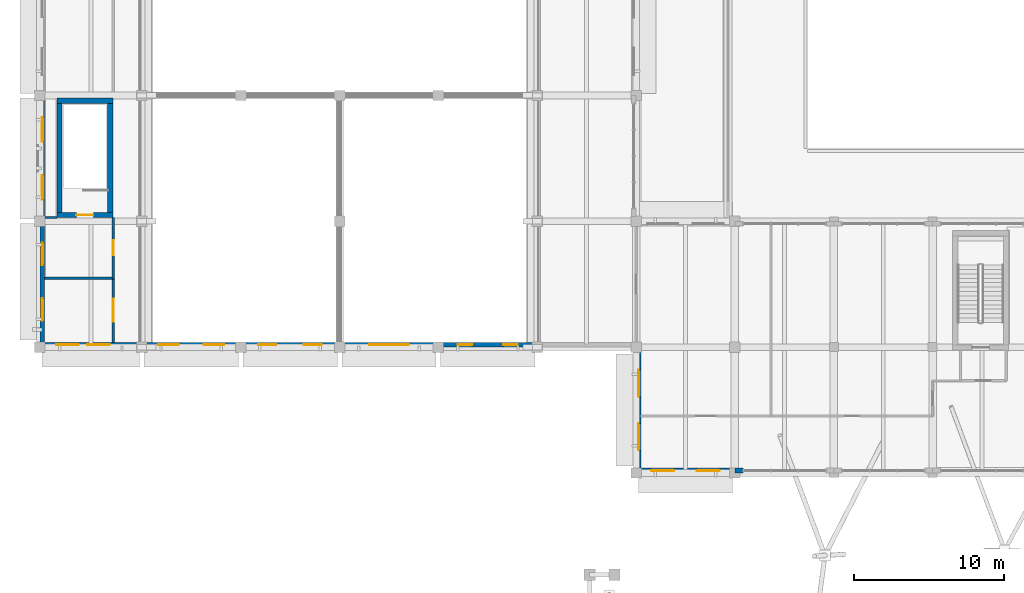
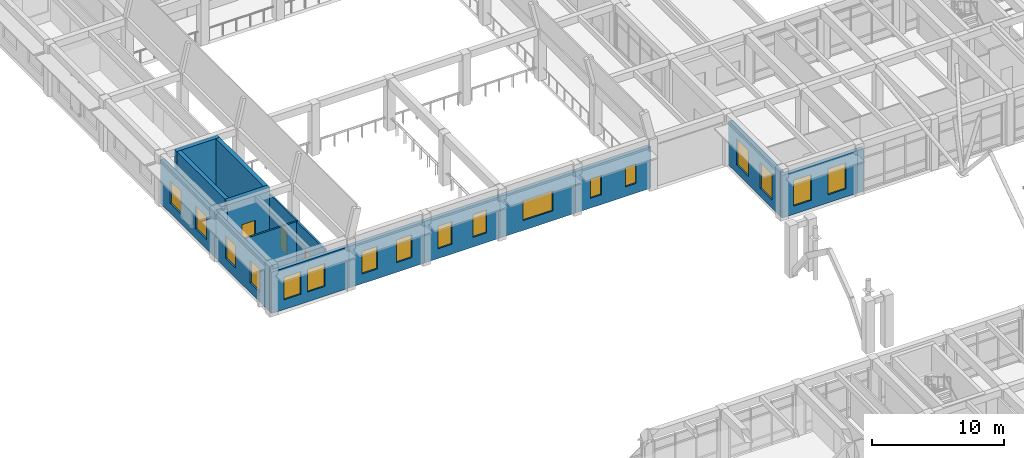
# One storey, part 46 of 75: 18 walls, 17 windows, 3 doors, 20 openings.
"""IFC4 building model written with IfcOpenShell, lengths in metres."""

import ifcopenshell
import ifcopenshell.guid

model = None  # the IFC model being written
_history = None  # IfcOwnerHistory: only IFC2X3 demands one
_inside = {}  # id of a spatial element -> (the spatial element, [elements in it])
_under = {}  # id of a project, library or spatial element -> (it, [spatial elements below it])
_declared = {}  # id of a project -> (the project, [libraries it declares])
_typed = {}  # id of a type object -> (the type object, [elements of that type])
_made_of = {}  # id of a material, layer set ... -> (it, [elements and type objects made of it])


def new_model(schema):
    """Start an empty IFC model of exactly this schema.

    Asked for "IFC4X3", IfcOpenShell would pick the latest addendum, in which some entities
    have other attributes; the version numbers below select the first issue.
    IFC2X3 requires an IfcOwnerHistory on every rooted entity: one is made here for all.
    """
    global model, _history
    if schema == "IFC4X3":
        model = ifcopenshell.file(schema_version=(4, 3, 0, 0))
    else:
        model = ifcopenshell.file(schema=schema)
    _inside.clear()
    _under.clear()
    _declared.clear()
    _typed.clear()
    _made_of.clear()
    _history = None
    if model.schema == "IFC2X3":
        org = make("IfcOrganization", Name="unknown")
        user = make(
            "IfcPersonAndOrganization",
            ThePerson=make("IfcPerson", FamilyName="unknown"),
            TheOrganization=org,
        )
        app = make(
            "IfcApplication",
            ApplicationDeveloper=org,
            Version="unknown",
            ApplicationFullName="unknown",
            ApplicationIdentifier="unknown",
        )
        _history = make(
            "IfcOwnerHistory",
            OwningUser=user,
            OwningApplication=app,
            ChangeAction="ADDED",
            CreationDate=0,
        )
    return model


def make(cls, **values):
    """One entity of the class cls with the attributes given. An attribute that is None is left unset."""
    return model.create_entity(
        cls, **{name: value for name, value in values.items() if value is not None}
    )


def rooted(cls, **values):
    """An entity with a GlobalId (a new one), such as an element, a storey or a relation."""
    return make(cls, GlobalId=ifcopenshell.guid.new(), OwnerHistory=_history, **values)


def si_unit(unit_type, name, prefix=None):
    """IfcSIUnit, for example si_unit("LENGTHUNIT", "METRE", prefix="MILLI")."""
    return make("IfcSIUnit", UnitType=unit_type, Prefix=prefix, Name=name)


def assignment(units):
    """IfcUnitAssignment: the units of a project."""
    return None if units is None else make("IfcUnitAssignment", Units=units)


def point(xyz):
    """IfcCartesianPoint."""
    return None if xyz is None else make("IfcCartesianPoint", Coordinates=xyz)


def direction(xyz):
    """IfcDirection."""
    return None if xyz is None else make("IfcDirection", DirectionRatios=xyz)


def frame(location, z_axis=None, x_axis=None):
    """IfcAxis2Placement3D, a coordinate frame: its origin and axes. An axis left out is left unset."""
    return make(
        "IfcAxis2Placement3D",
        Location=point(location),
        Axis=direction(z_axis),
        RefDirection=direction(x_axis),
    )


def frame_2d(location, x_axis=None):
    """IfcAxis2Placement2D, a coordinate frame in the plane: its origin and x axis."""
    return make(
        "IfcAxis2Placement2D", Location=point(location), RefDirection=direction(x_axis)
    )


def origin():
    """The frame at (0, 0, 0) with its axes left unset."""
    return frame((0.0, 0.0, 0.0))


def place(relative_to, where):
    """IfcLocalPlacement: puts the frame where relative to a parent placement (None: the world)."""
    return make(
        "IfcLocalPlacement", PlacementRelTo=relative_to, RelativePlacement=where
    )


def context(
    kind, dimensions, precision=None, world=None, true_north=None, identifier=None
):
    """IfcGeometricRepresentationContext, for example the 3D "Model" context."""
    return make(
        "IfcGeometricRepresentationContext",
        ContextIdentifier=identifier,
        ContextType=kind,
        CoordinateSpaceDimension=dimensions,
        Precision=precision,
        WorldCoordinateSystem=world,
        TrueNorth=true_north,
    )


def subcontext(parent, identifier, kind, view, scale=None):
    """IfcGeometricRepresentationSubContext, for example "Body" below "Model"."""
    return make(
        "IfcGeometricRepresentationSubContext",
        ContextIdentifier=identifier,
        ContextType=kind,
        ParentContext=parent,
        TargetScale=scale,
        TargetView=view,
    )


def project(units=None, contexts=None):
    """IfcProject with its units and contexts."""
    return rooted(
        "IfcProject",
        Name="project",
        RepresentationContexts=contexts,
        UnitsInContext=assignment(units),
    )


def spatial(cls, under=None, at=None, **own):
    """A site, building, storey or space (cls), placed at a placement, below another one or the project."""
    s = rooted(cls, ObjectPlacement=at, **own)
    if under is not None:
        _under.setdefault(under.id(), (under, []))[1].append(s)
    return s


def profile(cls, at=None, kind="AREA", **sizes):
    """A parametric profile (cls). Its sizes go by their IFC names, for example OverallWidth=200.0."""
    return make(cls, ProfileType=kind, Position=at, **sizes)


def rectangle(**sizes):
    """IfcRectangleProfileDef."""
    return profile("IfcRectangleProfileDef", **sizes)


def extrude(swept, where, along, depth):
    """IfcExtrudedAreaSolid: the profile swept, set in the frame where, extruded along a direction by depth."""
    return make(
        "IfcExtrudedAreaSolid",
        SweptArea=swept,
        Position=where,
        ExtrudedDirection=direction(along),
        Depth=depth,
    )


def shape(context_of_items, identifier, shape_type, items):
    """IfcShapeRepresentation: the items that make up one representation, for example the "Body"."""
    return make(
        "IfcShapeRepresentation",
        ContextOfItems=context_of_items,
        RepresentationIdentifier=identifier,
        RepresentationType=shape_type,
        Items=items,
    )


def material(Name=None, Category=None):
    """IfcMaterial."""
    return make("IfcMaterial", Name=Name, Category=Category)


def layer(
    of_material, thickness, ventilated=None, Name=None, Category=None, Priority=None
):
    """IfcMaterialLayer: one layer of a wall or slab, of a material (None: an air gap)."""
    return make(
        "IfcMaterialLayer",
        Material=of_material,
        LayerThickness=thickness,
        IsVentilated=ventilated,
        Name=Name,
        Category=Category,
        Priority=Priority,
    )


def layer_set(layers, Name=None):
    """IfcMaterialLayerSet."""
    return make("IfcMaterialLayerSet", MaterialLayers=layers, LayerSetName=Name)


def made_of(thing, what):
    """Note that an element or type object is made of a material, layer set ...; save() writes the relation."""
    if what is not None:
        _made_of.setdefault(what.id(), (what, []))[1].append(thing)
    return thing


def type_object(cls, material=None, **own):
    """A type object (cls), such as IfcWallType, which elements share."""
    return made_of(rooted(cls, **own), material)


def element(
    cls,
    number,
    at=None,
    inside=None,
    cuts=None,
    type_object=None,
    material=None,
    context=None,
    identifier="Body",
    shape_type=None,
    held_by="IfcProductDefinitionShape",
    body=None,
    shapes=None,
    **own,
):
    """One element of the class cls, such as IfcWall. Its Tag is "e" and its number.

    at: its placement. inside: the storey or other place that contains it. cuts: it is an
    opening in that element (IfcRelVoidsElement). A single representation is given by context,
    identifier, shape_type and body (its items); several are given by shapes. held_by: the class
    of the entity that holds the representations. save() writes the other relations.
    """
    e = rooted(cls, Tag="e%d" % number, ObjectPlacement=at, **own)
    if body is not None:
        shapes = [shape(context, identifier, shape_type, body)]
    if shapes is not None:
        e.Representation = make(held_by, Representations=shapes)
    if inside is not None:
        _inside.setdefault(inside.id(), (inside, []))[1].append(e)
    if cuts is not None:
        rooted(
            "IfcRelVoidsElement", RelatingBuildingElement=cuts, RelatedOpeningElement=e
        )
    if type_object is not None:
        _typed.setdefault(type_object.id(), (type_object, []))[1].append(e)
    return made_of(e, material)


def fill(opening, filler):
    """IfcRelFillsElement: the door or window that sits in an opening."""
    return rooted(
        "IfcRelFillsElement",
        RelatingOpeningElement=opening,
        RelatedBuildingElement=filler,
    )


def aggregate(whole, parts):
    """IfcRelAggregates: a whole, such as a stair, and the parts it consists of."""
    return rooted("IfcRelAggregates", RelatingObject=whole, RelatedObjects=parts)


def save(model, path):
    """Write the relations noted so far, then the file.

    IfcRelAggregates (storeys below a building ...), IfcRelContainedInSpatialStructure (elements
    in a storey), IfcRelDefinesByType, IfcRelAssociatesMaterial and IfcRelDeclares: one each for
    every whole, place, type object, material and project.
    """
    for whole, parts in _under.values():
        aggregate(whole, parts)
    for where, things in _inside.values():
        rooted(
            "IfcRelContainedInSpatialStructure",
            RelatedElements=things,
            RelatingStructure=where,
        )
    for kind, things in _typed.values():
        rooted("IfcRelDefinesByType", RelatedObjects=things, RelatingType=kind)
    for what, things in _made_of.values():
        rooted("IfcRelAssociatesMaterial", RelatedObjects=things, RelatingMaterial=what)
    for by, libraries in _declared.values():
        rooted("IfcRelDeclares", RelatingContext=by, RelatedDefinitions=libraries)
    model.write(path)


model = new_model("IFC4")

# Units and contexts
model_context = context("Model", 3, precision=1e-05, world=origin(), true_north=direction((0.0, 1.0)))
body_context = subcontext(model_context, "Body", "Model", "MODEL_VIEW")
ifc_project = project(units=[si_unit("LENGTHUNIT", "METRE"), si_unit("AREAUNIT", "SQUARE_METRE"), si_unit("VOLUMEUNIT", "CUBIC_METRE"), si_unit("PLANEANGLEUNIT", "RADIAN"), si_unit("MASSUNIT", "GRAM", prefix="KILO")], contexts=[model_context])

# Site, building, storey
site_placement = place(None, origin())
site = spatial("IfcSite", under=ifc_project, at=site_placement, CompositionType="ELEMENT")
building_placement = place(site_placement, origin())
building = spatial("IfcBuilding", under=site, at=building_placement, Name="Kolvaren Faculty of Natural Sciences", CompositionType="ELEMENT")
storey_placement = place(building_placement, frame((0.0, 0.0, 5.39990234375)))
storey = spatial("IfcBuildingStorey", under=building, at=storey_placement, Name="L01", CompositionType="ELEMENT", Elevation=5.39990234375)

# Wall, opening, door
ifc_material_1 = material(Name="Concrete C40/50", Category="concrete")
ifc_layer_1 = layer(ifc_material_1, 0.35009765625)
ifc_layer_set_1 = layer_set([ifc_layer_1], Name="Concrete C40/50")
wall_type_1 = type_object("IfcWallType", Name="CoreShearWall_350", PredefinedType="SHEAR", material=ifc_layer_set_1)
wall_1_placement = place(storey_placement, frame((1.125, 84.625, 0.0), z_axis=(0.0, 0.0, 1.0), x_axis=(1.0, 0.0, 0.0)))
wall_1 = element("IfcWall", 1, at=wall_1_placement, inside=storey, type_object=wall_type_1, Name="L01 CORE-C5 stair shear wall S", PredefinedType="SHEAR", context=body_context, shape_type="SweptSolid", body=[
    extrude(rectangle(XDim=3.75, YDim=0.35009765625, at=frame_2d((1.875, 0.0))), origin(), (0.0, 0.0, 1.0), 4.739990234375),
])
opening_1_placement = place(wall_1_placement, frame((1.300048828125, 0.0, 0.0)))
opening_1 = element("IfcOpeningElement", 2, at=opening_1_placement, cuts=wall_1, Name="Opening FD90", PredefinedType="OPENING", context=body_context, shape_type="SweptSolid", body=[
    extrude(rectangle(XDim=1.14990234375, YDim=2.14990234375, at=frame_2d((0.574951171875, 1.074951171875))), frame((0.0, 0.18505859375, 0.0), z_axis=(0.0, -1.0, 0.0), x_axis=(1.0, 0.0, 0.0)), (0.0, 0.0, 1.0), 0.3701171875),
])
ifc_material_2 = material(Name="Fire-rated solid-core hardwood door leaf in steel frame", Category="steel")
door_type_1 = type_object("IfcDoorType", Name="StairCoreFireDoor_1150x2150", OperationType="NOTDEFINED", PredefinedType="DOOR", material=ifc_material_2)
door_1_placement = place(opening_1_placement, origin())
door_1 = element("IfcDoor", 3, at=door_1_placement, inside=storey, type_object=door_type_1, Name="D-ST-ST-5-L01", OperationType="SINGLE_SWING_LEFT", OverallHeight=2.14990234375, OverallWidth=1.14990234375, PredefinedType="DOOR", context=body_context, shape_type="SweptSolid", body=[
    extrude(rectangle(XDim=1.14990234375, YDim=2.14990234375, at=frame_2d((0.574951171875, 1.074951171875))), frame((0.0, 0.02490234375, 0.0), z_axis=(0.0, -1.0, 0.0), x_axis=(1.0, 0.0, 0.0)), (0.0, 0.0, 1.0), 0.050048828125),
])
fill(opening_1, door_1)

# Walls
wall_2_placement = place(storey_placement, frame((1.125, 92.25, 0.0), z_axis=(0.0, 0.0, 1.0), x_axis=(1.0, 0.0, 0.0)))
element("IfcWall", 4, at=wall_2_placement, inside=storey, type_object=wall_type_1, Name="L01 CORE-C5 stair shear wall N", PredefinedType="SHEAR", context=body_context, shape_type="SweptSolid", body=[
    extrude(rectangle(XDim=3.75, YDim=0.35009765625, at=frame_2d((1.875, 0.0))), origin(), (0.0, 0.0, 1.0), 4.739990234375),
])
for number, where, z_axis, x_axis, name in (
    (5, (1.300048828125, 84.800048828125, 0.0), (0.0, 0.0, 1.0), (0.0, 1.0, 0.0), "L01 CORE-C5 stair shear wall W"),
    (6, (4.699951171875, 84.800048828125, 0.0), (0.0, 0.0, 1.0), (0.0, 1.0, 0.0), "L01 CORE-C5 stair shear wall E"),
):
    element("IfcWall", number, at=place(storey_placement, frame(where, z_axis=z_axis, x_axis=x_axis)), inside=storey, type_object=wall_type_1, Name=name, PredefinedType="SHEAR", context=body_context, shape_type="SweptSolid", body=[
        extrude(rectangle(XDim=7.27490234375, YDim=0.35009765625, at=frame_2d((3.637451171875, 0.0))), origin(), (0.0, 0.0, 1.0), 4.739990234375),
    ])

# Wall, openings, windows
ifc_material_3 = material(Name="Sandstone-faced insulated cavity masonry", Category="masonry")
ifc_layer_2 = layer(ifc_material_3, 0.320068359375)
ifc_layer_set_2 = layer_set([ifc_layer_2], Name="Sandstone-faced insulated cavity masonry")
wall_type_2 = type_object("IfcWallType", Name="ExteriorCavityWall_320", PredefinedType="STANDARD", material=ifc_layer_set_2)
wall_3_placement = place(storey_placement, frame((0.159912109375, 76.1201171875, 0.0), z_axis=(0.0, 0.0, 1.0), x_axis=(0.0, 1.0, 0.0)))
wall_3 = element("IfcWall", 7, at=wall_3_placement, inside=storey, type_object=wall_type_2, Name="L01 exterior masonry wall EW-320 (257)", PredefinedType="STANDARD", context=body_context, shape_type="SweptSolid", body=[
    extrude(rectangle(XDim=8.079833984375, YDim=0.320068359375, at=frame_2d((4.0400390625, 0.0))), origin(), (0.0, 0.0, 1.0), 4.085205078125),
])
opening_2_placement = place(wall_3_placement, frame((1.431640625, 0.0, 0.89990234375)))
opening_2 = element("IfcOpeningElement", 8, at=opening_2_placement, cuts=wall_3, Name="Opening WIN-03", PredefinedType="OPENING", context=body_context, shape_type="SweptSolid", body=[
    extrude(rectangle(XDim=1.5, YDim=2.10009765625, at=frame_2d((0.75, 1.050048828125))), frame((0.0, 0.169921875, 0.0), z_axis=(0.0, -1.0, 0.0), x_axis=(1.0, 0.0, 0.0)), (0.0, 0.0, 1.0), 0.340087890625),
])
opening_3_placement = place(wall_3_placement, frame((5.1484375, 0.0, 0.89990234375)))
opening_3 = element("IfcOpeningElement", 9, at=opening_3_placement, cuts=wall_3, Name="Opening WIN-03", PredefinedType="OPENING", context=body_context, shape_type="SweptSolid", body=[
    extrude(rectangle(XDim=1.5, YDim=2.10009765625, at=frame_2d((0.75, 1.050048828125))), frame((0.0, 0.169921875, 0.0), z_axis=(0.0, -1.0, 0.0), x_axis=(1.0, 0.0, 0.0)), (0.0, 0.0, 1.0), 0.340087890625),
])
ifc_material_4 = material(Name="Double low-E solar control insulated glazing", Category="glass")
window_type_1 = type_object("IfcWindowType", Name="AluWindow_WIN03_1500x2100", PartitioningType="SINGLE_PANEL", PredefinedType="WINDOW", material=ifc_material_4)
window_1_placement = place(opening_2_placement, origin())
window_1 = element("IfcWindow", 10, at=window_1_placement, inside=storey, type_object=window_type_1, Name="WIN-L01-0217", OverallHeight=2.10009765625, OverallWidth=1.5, PartitioningType="SINGLE_PANEL", PredefinedType="WINDOW", context=body_context, shape_type="SweptSolid", body=[
    extrude(rectangle(XDim=1.5, YDim=2.10009765625, at=frame_2d((0.75, 1.050048828125))), frame((0.0, 0.030029296875, 0.0), z_axis=(0.0, -1.0, 0.0), x_axis=(1.0, 0.0, 0.0)), (0.0, 0.0, 1.0), 0.06005859375),
])
fill(opening_2, window_1)
window_2_placement = place(opening_3_placement, origin())
window_2 = element("IfcWindow", 11, at=window_2_placement, inside=storey, type_object=window_type_1, Name="WIN-L01-0218", OverallHeight=2.10009765625, OverallWidth=1.5, PartitioningType="SINGLE_PANEL", PredefinedType="WINDOW", context=body_context, shape_type="SweptSolid", body=[
    extrude(rectangle(XDim=1.5, YDim=2.10009765625, at=frame_2d((0.75, 1.050048828125))), frame((0.0, 0.030029296875, 0.0), z_axis=(0.0, -1.0, 0.0), x_axis=(1.0, 0.0, 0.0)), (0.0, 0.0, 1.0), 0.06005859375),
])
fill(opening_3, window_2)

wall_4_placement = place(storey_placement, frame((0.159912109375, 84.199951171875, 0.0), z_axis=(0.0, 0.0, 1.0), x_axis=(0.0, 1.0, 0.0)))
wall_4 = element("IfcWall", 12, at=wall_4_placement, inside=storey, type_object=wall_type_2, Name="L01 exterior masonry wall EW-320 (258)", PredefinedType="STANDARD", context=body_context, shape_type="SweptSolid", body=[
    extrude(rectangle(XDim=8.400146484375, YDim=0.320068359375, at=frame_2d((4.2001953125, 0.0))), origin(), (0.0, 0.0, 1.0), 4.085205078125),
])
opening_4_placement = place(wall_4_placement, frame((1.443115234375, 0.0, 0.89990234375)))
opening_4 = element("IfcOpeningElement", 13, at=opening_4_placement, cuts=wall_4, Name="Opening WIN-04", PredefinedType="OPENING", context=body_context, shape_type="SweptSolid", body=[
    extrude(rectangle(XDim=1.64990234375, YDim=2.10009765625, at=frame_2d((0.824951171875, 1.050048828125))), frame((0.0, 0.169921875, 0.0), z_axis=(0.0, -1.0, 0.0), x_axis=(1.0, 0.0, 0.0)), (0.0, 0.0, 1.0), 0.340087890625),
])
opening_5_placement = place(wall_4_placement, frame((5.306884765625, 0.0, 0.89990234375)))
opening_5 = element("IfcOpeningElement", 14, at=opening_5_placement, cuts=wall_4, Name="Opening WIN-04", PredefinedType="OPENING", context=body_context, shape_type="SweptSolid", body=[
    extrude(rectangle(XDim=1.64990234375, YDim=2.10009765625, at=frame_2d((0.824951171875, 1.050048828125))), frame((0.0, 0.169921875, 0.0), z_axis=(0.0, -1.0, 0.0), x_axis=(1.0, 0.0, 0.0)), (0.0, 0.0, 1.0), 0.340087890625),
])
window_type_2 = type_object("IfcWindowType", Name="AluWindow_WIN04_1650x2100", PartitioningType="SINGLE_PANEL", PredefinedType="WINDOW", material=ifc_material_4)
window_3_placement = place(opening_4_placement, origin())
window_3 = element("IfcWindow", 15, at=window_3_placement, inside=storey, type_object=window_type_2, Name="WIN-L01-0219", OverallHeight=2.10009765625, OverallWidth=1.64990234375, PartitioningType="SINGLE_PANEL", PredefinedType="WINDOW", context=body_context, shape_type="SweptSolid", body=[
    extrude(rectangle(XDim=1.64990234375, YDim=2.10009765625, at=frame_2d((0.824951171875, 1.050048828125))), frame((0.0, 0.030029296875, 0.0), z_axis=(0.0, -1.0, 0.0), x_axis=(1.0, 0.0, 0.0)), (0.0, 0.0, 1.0), 0.06005859375),
])
fill(opening_4, window_3)
window_4_placement = place(opening_5_placement, origin())
window_4 = element("IfcWindow", 16, at=window_4_placement, inside=storey, type_object=window_type_2, Name="WIN-L01-0220", OverallHeight=2.10009765625, OverallWidth=1.64990234375, PartitioningType="SINGLE_PANEL", PredefinedType="WINDOW", context=body_context, shape_type="SweptSolid", body=[
    extrude(rectangle(XDim=1.64990234375, YDim=2.10009765625, at=frame_2d((0.824951171875, 1.050048828125))), frame((0.0, 0.030029296875, 0.0), z_axis=(0.0, -1.0, 0.0), x_axis=(1.0, 0.0, 0.0)), (0.0, 0.0, 1.0), 0.06005859375),
])
fill(opening_5, window_4)

# Wall
wall_5_placement = place(storey_placement, frame((46.919921875, 67.56005859375, 0.0), z_axis=(0.0, 0.0, 1.0), x_axis=(-1.0, 0.0, 0.0)))
element("IfcWall", 17, at=wall_5_placement, inside=storey, type_object=wall_type_2, Name="L01 curtain-wall pier stub 311", PredefinedType="STANDARD", context=body_context, shape_type="SweptSolid", body=[
    extrude(rectangle(XDim=0.52001953125, YDim=0.320068359375, at=frame_2d((0.260009765625, 0.0))), origin(), (0.0, 0.0, 1.0), 3.93505859375),
])

# Wall, openings, windows
wall_6_placement = place(storey_placement, frame((46.39990234375, 67.56005859375, 0.0), z_axis=(0.0, 0.0, 1.0), x_axis=(-1.0, 0.0, 0.0)))
wall_6 = element("IfcWall", 18, at=wall_6_placement, inside=storey, type_object=wall_type_2, Name="L01 exterior masonry wall EW-320 (312)", PredefinedType="STANDARD", context=body_context, shape_type="SweptSolid", body=[
    extrude(rectangle(XDim=6.599853515625, YDim=0.320068359375, at=frame_2d((3.2998046875, 0.0))), origin(), (0.0, 0.0, 1.0), 3.93505859375),
])
opening_6_placement = place(wall_6_placement, frame((1.007080078125, 0.0, 0.75)))
opening_6 = element("IfcOpeningElement", 19, at=opening_6_placement, cuts=wall_6, Name="Opening WIN-20", PredefinedType="OPENING", context=body_context, shape_type="SweptSolid", body=[
    extrude(rectangle(XDim=1.550048828125, YDim=2.39990234375, at=frame_2d((0.77490234375, 1.199951171875))), frame((0.0, 0.169921875, 0.0), z_axis=(0.0, -1.0, 0.0), x_axis=(1.0, 0.0, 0.0)), (0.0, 0.0, 1.0), 0.340087890625),
])
opening_7_placement = place(wall_6_placement, frame((4.04296875, 0.0, 0.75)))
opening_7 = element("IfcOpeningElement", 20, at=opening_7_placement, cuts=wall_6, Name="Opening WIN-20", PredefinedType="OPENING", context=body_context, shape_type="SweptSolid", body=[
    extrude(rectangle(XDim=1.550048828125, YDim=2.39990234375, at=frame_2d((0.77490234375, 1.199951171875))), frame((0.0, 0.169921875, 0.0), z_axis=(0.0, -1.0, 0.0), x_axis=(1.0, 0.0, 0.0)), (0.0, 0.0, 1.0), 0.340087890625),
])
window_type_3 = type_object("IfcWindowType", Name="AluWindow_WIN20_1550x2400", PartitioningType="SINGLE_PANEL", PredefinedType="WINDOW", material=ifc_material_4)
window_5_placement = place(opening_6_placement, origin())
window_5 = element("IfcWindow", 21, at=window_5_placement, inside=storey, type_object=window_type_3, Name="WIN-L01-0243", OverallHeight=2.39990234375, OverallWidth=1.550048828125, PartitioningType="SINGLE_PANEL", PredefinedType="WINDOW", context=body_context, shape_type="SweptSolid", body=[
    extrude(rectangle(XDim=1.550048828125, YDim=2.39990234375, at=frame_2d((0.77490234375, 1.199951171875))), frame((0.0, 0.030029296875, 0.0), z_axis=(0.0, -1.0, 0.0), x_axis=(1.0, 0.0, 0.0)), (0.0, 0.0, 1.0), 0.06005859375),
])
fill(opening_6, window_5)
window_6_placement = place(opening_7_placement, origin())
window_6 = element("IfcWindow", 22, at=window_6_placement, inside=storey, type_object=window_type_3, Name="WIN-L01-0244", OverallHeight=2.39990234375, OverallWidth=1.550048828125, PartitioningType="SINGLE_PANEL", PredefinedType="WINDOW", context=body_context, shape_type="SweptSolid", body=[
    extrude(rectangle(XDim=1.550048828125, YDim=2.39990234375, at=frame_2d((0.77490234375, 1.199951171875))), frame((0.0, 0.030029296875, 0.0), z_axis=(0.0, -1.0, 0.0), x_axis=(1.0, 0.0, 0.0)), (0.0, 0.0, 1.0), 0.06005859375),
])
fill(opening_7, window_6)

wall_7_placement = place(storey_placement, frame((39.9599609375, 67.719970703125, 0.0), z_axis=(0.0, 0.0, 1.0), x_axis=(0.0, 1.0, 0.0)))
wall_7 = element("IfcWall", 23, at=wall_7_placement, inside=storey, type_object=wall_type_2, Name="L01 exterior masonry wall EW-320 (313)", PredefinedType="STANDARD", context=body_context, shape_type="SweptSolid", body=[
    extrude(rectangle(XDim=7.760009765625, YDim=0.320068359375, at=frame_2d((3.8798828125, 0.0))), origin(), (0.0, 0.0, 1.0), 4.085205078125),
])
opening_8_placement = place(wall_7_placement, frame((1.1953125, 0.0, 0.75)))
opening_8 = element("IfcOpeningElement", 24, at=opening_8_placement, cuts=wall_7, Name="Opening WIN-21", PredefinedType="OPENING", context=body_context, shape_type="SweptSolid", body=[
    extrude(rectangle(XDim=1.800048828125, YDim=2.39990234375, at=frame_2d((0.89990234375, 1.199951171875))), frame((0.0, 0.169921875, 0.0), z_axis=(0.0, -1.0, 0.0), x_axis=(1.0, 0.0, 0.0)), (0.0, 0.0, 1.0), 0.340087890625),
])
opening_9_placement = place(wall_7_placement, frame((4.764892578125, 0.0, 0.75)))
opening_9 = element("IfcOpeningElement", 25, at=opening_9_placement, cuts=wall_7, Name="Opening WIN-21", PredefinedType="OPENING", context=body_context, shape_type="SweptSolid", body=[
    extrude(rectangle(XDim=1.800048828125, YDim=2.39990234375, at=frame_2d((0.89990234375, 1.199951171875))), frame((0.0, 0.169921875, 0.0), z_axis=(0.0, -1.0, 0.0), x_axis=(1.0, 0.0, 0.0)), (0.0, 0.0, 1.0), 0.340087890625),
])
window_type_4 = type_object("IfcWindowType", Name="AluWindow_WIN21_1800x2400", PartitioningType="SINGLE_PANEL", PredefinedType="WINDOW", material=ifc_material_4)
window_7_placement = place(opening_8_placement, origin())
window_7 = element("IfcWindow", 26, at=window_7_placement, inside=storey, type_object=window_type_4, Name="WIN-L01-0245", OverallHeight=2.39990234375, OverallWidth=1.800048828125, PartitioningType="SINGLE_PANEL", PredefinedType="WINDOW", context=body_context, shape_type="SweptSolid", body=[
    extrude(rectangle(XDim=1.800048828125, YDim=2.39990234375, at=frame_2d((0.89990234375, 1.199951171875))), frame((0.0, 0.030029296875, 0.0), z_axis=(0.0, -1.0, 0.0), x_axis=(1.0, 0.0, 0.0)), (0.0, 0.0, 1.0), 0.06005859375),
])
fill(opening_8, window_7)
window_8_placement = place(opening_9_placement, origin())
window_8 = element("IfcWindow", 27, at=window_8_placement, inside=storey, type_object=window_type_4, Name="WIN-L01-0246", OverallHeight=2.39990234375, OverallWidth=1.800048828125, PartitioningType="SINGLE_PANEL", PredefinedType="WINDOW", context=body_context, shape_type="SweptSolid", body=[
    extrude(rectangle(XDim=1.800048828125, YDim=2.39990234375, at=frame_2d((0.89990234375, 1.199951171875))), frame((0.0, 0.030029296875, 0.0), z_axis=(0.0, -1.0, 0.0), x_axis=(1.0, 0.0, 0.0)), (0.0, 0.0, 1.0), 0.06005859375),
])
fill(opening_9, window_8)

wall_8_placement = place(storey_placement, frame((33.199951171875, 75.9599609375, 0.0), z_axis=(0.0, 0.0, 1.0), x_axis=(-1.0, 0.0, 0.0)))
wall_8 = element("IfcWall", 28, at=wall_8_placement, inside=storey, type_object=wall_type_2, Name="L01 exterior masonry wall EW-320 (315)", PredefinedType="STANDARD", context=body_context, shape_type="SweptSolid", body=[
    extrude(rectangle(XDim=6.599853515625, YDim=0.320068359375, at=frame_2d((3.2998046875, 0.0))), origin(), (0.0, 0.0, 1.0), 3.835205078125),
])
opening_10_placement = place(wall_8_placement, frame((1.306884765625, 0.0, 0.89990234375)))
opening_10 = element("IfcOpeningElement", 29, at=opening_10_placement, cuts=wall_8, Name="Opening WIN-23", PredefinedType="OPENING", context=body_context, shape_type="SweptSolid", body=[
    extrude(rectangle(XDim=0.949951171875, YDim=1.800048828125, at=frame_2d((0.47509765625, 0.89990234375))), frame((0.0, 0.169921875, 0.0), z_axis=(0.0, -1.0, 0.0), x_axis=(1.0, 0.0, 0.0)), (0.0, 0.0, 1.0), 0.340087890625),
])
opening_11_placement = place(wall_8_placement, frame((4.343017578125, 0.0, 0.89990234375)))
opening_11 = element("IfcOpeningElement", 30, at=opening_11_placement, cuts=wall_8, Name="Opening WIN-23", PredefinedType="OPENING", context=body_context, shape_type="SweptSolid", body=[
    extrude(rectangle(XDim=0.949951171875, YDim=1.800048828125, at=frame_2d((0.47509765625, 0.89990234375))), frame((0.0, 0.169921875, 0.0), z_axis=(0.0, -1.0, 0.0), x_axis=(1.0, 0.0, 0.0)), (0.0, 0.0, 1.0), 0.340087890625),
])
window_type_5 = type_object("IfcWindowType", Name="AluWindow_WIN23_950x1800", PartitioningType="SINGLE_PANEL", PredefinedType="WINDOW", material=ifc_material_4)
window_9_placement = place(opening_10_placement, origin())
window_9 = element("IfcWindow", 31, at=window_9_placement, inside=storey, type_object=window_type_5, Name="WIN-L01-0247", OverallHeight=1.800048828125, OverallWidth=0.949951171875, PartitioningType="SINGLE_PANEL", PredefinedType="WINDOW", context=body_context, shape_type="SweptSolid", body=[
    extrude(rectangle(XDim=0.949951171875, YDim=1.800048828125, at=frame_2d((0.47509765625, 0.89990234375))), frame((0.0, 0.030029296875, 0.0), z_axis=(0.0, -1.0, 0.0), x_axis=(1.0, 0.0, 0.0)), (0.0, 0.0, 1.0), 0.06005859375),
])
fill(opening_10, window_9)
window_10_placement = place(opening_11_placement, origin())
window_10 = element("IfcWindow", 32, at=window_10_placement, inside=storey, type_object=window_type_5, Name="WIN-L01-0248", OverallHeight=1.800048828125, OverallWidth=0.949951171875, PartitioningType="SINGLE_PANEL", PredefinedType="WINDOW", context=body_context, shape_type="SweptSolid", body=[
    extrude(rectangle(XDim=0.949951171875, YDim=1.800048828125, at=frame_2d((0.47509765625, 0.89990234375))), frame((0.0, 0.030029296875, 0.0), z_axis=(0.0, -1.0, 0.0), x_axis=(1.0, 0.0, 0.0)), (0.0, 0.0, 1.0), 0.06005859375),
])
fill(opening_11, window_10)

# Wall, opening, window
wall_9_placement = place(storey_placement, frame((26.60009765625, 75.9599609375, 0.0), z_axis=(0.0, 0.0, 1.0), x_axis=(-1.0, 0.0, 0.0)))
wall_9 = element("IfcWall", 33, at=wall_9_placement, inside=storey, type_object=wall_type_2, Name="L01 exterior masonry wall EW-320 (316)", PredefinedType="STANDARD", context=body_context, shape_type="SweptSolid", body=[
    extrude(rectangle(XDim=6.60009765625, YDim=0.320068359375, at=frame_2d((3.300048828125, 0.0))), origin(), (0.0, 0.0, 1.0), 3.835205078125),
])
opening_12_placement = place(wall_9_placement, frame((1.97509765625, 0.0, 0.89990234375)))
opening_12 = element("IfcOpeningElement", 34, at=opening_12_placement, cuts=wall_9, Name="Opening WIN-24", PredefinedType="OPENING", context=body_context, shape_type="SweptSolid", body=[
    extrude(rectangle(XDim=2.64990234375, YDim=1.85009765625, at=frame_2d((1.324951171875, 0.925048828125))), frame((0.0, 0.169921875, 0.0), z_axis=(0.0, -1.0, 0.0), x_axis=(1.0, 0.0, 0.0)), (0.0, 0.0, 1.0), 0.340087890625),
])
window_type_6 = type_object("IfcWindowType", Name="AluWindow_WIN24_2650x1850", PartitioningType="SINGLE_PANEL", PredefinedType="WINDOW", material=ifc_material_4)
window_11_placement = place(opening_12_placement, origin())
window_11 = element("IfcWindow", 35, at=window_11_placement, inside=storey, type_object=window_type_6, Name="WIN-L01-0249", OverallHeight=1.85009765625, OverallWidth=2.64990234375, PartitioningType="SINGLE_PANEL", PredefinedType="WINDOW", context=body_context, shape_type="SweptSolid", body=[
    extrude(rectangle(XDim=2.64990234375, YDim=1.85009765625, at=frame_2d((1.324951171875, 0.925048828125))), frame((0.0, 0.030029296875, 0.0), z_axis=(0.0, -1.0, 0.0), x_axis=(1.0, 0.0, 0.0)), (0.0, 0.0, 1.0), 0.06005859375),
])
fill(opening_12, window_11)

# Wall, openings, windows
wall_10_placement = place(storey_placement, frame((20.0, 75.9599609375, 0.0), z_axis=(0.0, 0.0, 1.0), x_axis=(-1.0, 0.0, 0.0)))
wall_10 = element("IfcWall", 36, at=wall_10_placement, inside=storey, type_object=wall_type_2, Name="L01 exterior masonry wall EW-320 (317)", PredefinedType="STANDARD", context=body_context, shape_type="SweptSolid", body=[
    extrude(rectangle(XDim=6.60009765625, YDim=0.320068359375, at=frame_2d((3.300048828125, 0.0))), origin(), (0.0, 0.0, 1.0), 3.835205078125),
])
opening_13_placement = place(wall_10_placement, frame((1.181884765625, 0.0, 0.89990234375)))
opening_13 = element("IfcOpeningElement", 37, at=opening_13_placement, cuts=wall_10, Name="Opening WIN-01", PredefinedType="OPENING", context=body_context, shape_type="SweptSolid", body=[
    extrude(rectangle(XDim=1.199951171875, YDim=2.10009765625, at=frame_2d((0.60009765625, 1.050048828125))), frame((0.0, 0.169921875, 0.0), z_axis=(0.0, -1.0, 0.0), x_axis=(1.0, 0.0, 0.0)), (0.0, 0.0, 1.0), 0.340087890625),
])
opening_14_placement = place(wall_10_placement, frame((4.218017578125, 0.0, 0.89990234375)))
opening_14 = element("IfcOpeningElement", 38, at=opening_14_placement, cuts=wall_10, Name="Opening WIN-01", PredefinedType="OPENING", context=body_context, shape_type="SweptSolid", body=[
    extrude(rectangle(XDim=1.199951171875, YDim=2.10009765625, at=frame_2d((0.60009765625, 1.050048828125))), frame((0.0, 0.169921875, 0.0), z_axis=(0.0, -1.0, 0.0), x_axis=(1.0, 0.0, 0.0)), (0.0, 0.0, 1.0), 0.340087890625),
])
window_type_7 = type_object("IfcWindowType", Name="AluWindow_WIN01_1200x2100", PartitioningType="SINGLE_PANEL", PredefinedType="WINDOW", material=ifc_material_4)
window_12_placement = place(opening_13_placement, origin())
window_12 = element("IfcWindow", 39, at=window_12_placement, inside=storey, type_object=window_type_7, Name="WIN-L01-0250", OverallHeight=2.10009765625, OverallWidth=1.199951171875, PartitioningType="SINGLE_PANEL", PredefinedType="WINDOW", context=body_context, shape_type="SweptSolid", body=[
    extrude(rectangle(XDim=1.199951171875, YDim=2.10009765625, at=frame_2d((0.60009765625, 1.050048828125))), frame((0.0, 0.030029296875, 0.0), z_axis=(0.0, -1.0, 0.0), x_axis=(1.0, 0.0, 0.0)), (0.0, 0.0, 1.0), 0.06005859375),
])
fill(opening_13, window_12)
window_13_placement = place(opening_14_placement, origin())
window_13 = element("IfcWindow", 40, at=window_13_placement, inside=storey, type_object=window_type_7, Name="WIN-L01-0251", OverallHeight=2.10009765625, OverallWidth=1.199951171875, PartitioningType="SINGLE_PANEL", PredefinedType="WINDOW", context=body_context, shape_type="SweptSolid", body=[
    extrude(rectangle(XDim=1.199951171875, YDim=2.10009765625, at=frame_2d((0.60009765625, 1.050048828125))), frame((0.0, 0.030029296875, 0.0), z_axis=(0.0, -1.0, 0.0), x_axis=(1.0, 0.0, 0.0)), (0.0, 0.0, 1.0), 0.06005859375),
])
fill(opening_14, window_13)

wall_11_placement = place(storey_placement, frame((13.39990234375, 75.9599609375, 0.0), z_axis=(0.0, 0.0, 1.0), x_axis=(-1.0, 0.0, 0.0)))
wall_11 = element("IfcWall", 41, at=wall_11_placement, inside=storey, type_object=wall_type_2, Name="L01 exterior masonry wall EW-320 (318)", PredefinedType="STANDARD", context=body_context, shape_type="SweptSolid", body=[
    extrude(rectangle(XDim=6.599853515625, YDim=0.320068359375, at=frame_2d((3.2998046875, 0.0))), origin(), (0.0, 0.0, 1.0), 3.835205078125),
])
opening_15_placement = place(wall_11_placement, frame((1.10693359375, 0.0, 0.89990234375)))
opening_15 = element("IfcOpeningElement", 42, at=opening_15_placement, cuts=wall_11, Name="Opening WIN-02", PredefinedType="OPENING", context=body_context, shape_type="SweptSolid", body=[
    extrude(rectangle(XDim=1.35009765625, YDim=2.10009765625, at=frame_2d((0.675048828125, 1.050048828125))), frame((0.0, 0.169921875, 0.0), z_axis=(0.0, -1.0, 0.0), x_axis=(1.0, 0.0, 0.0)), (0.0, 0.0, 1.0), 0.340087890625),
])
opening_16_placement = place(wall_11_placement, frame((4.14306640625, 0.0, 0.89990234375)))
opening_16 = element("IfcOpeningElement", 43, at=opening_16_placement, cuts=wall_11, Name="Opening WIN-02", PredefinedType="OPENING", context=body_context, shape_type="SweptSolid", body=[
    extrude(rectangle(XDim=1.35009765625, YDim=2.10009765625, at=frame_2d((0.675048828125, 1.050048828125))), frame((0.0, 0.169921875, 0.0), z_axis=(0.0, -1.0, 0.0), x_axis=(1.0, 0.0, 0.0)), (0.0, 0.0, 1.0), 0.340087890625),
])
window_type_8 = type_object("IfcWindowType", Name="AluWindow_WIN02_1350x2100", PartitioningType="SINGLE_PANEL", PredefinedType="WINDOW", material=ifc_material_4)
window_14_placement = place(opening_15_placement, origin())
window_14 = element("IfcWindow", 44, at=window_14_placement, inside=storey, type_object=window_type_8, Name="WIN-L01-0252", OverallHeight=2.10009765625, OverallWidth=1.35009765625, PartitioningType="SINGLE_PANEL", PredefinedType="WINDOW", context=body_context, shape_type="SweptSolid", body=[
    extrude(rectangle(XDim=1.35009765625, YDim=2.10009765625, at=frame_2d((0.675048828125, 1.050048828125))), frame((0.0, 0.030029296875, 0.0), z_axis=(0.0, -1.0, 0.0), x_axis=(1.0, 0.0, 0.0)), (0.0, 0.0, 1.0), 0.06005859375),
])
fill(opening_15, window_14)
window_15_placement = place(opening_16_placement, origin())
window_15 = element("IfcWindow", 45, at=window_15_placement, inside=storey, type_object=window_type_8, Name="WIN-L01-0253", OverallHeight=2.10009765625, OverallWidth=1.35009765625, PartitioningType="SINGLE_PANEL", PredefinedType="WINDOW", context=body_context, shape_type="SweptSolid", body=[
    extrude(rectangle(XDim=1.35009765625, YDim=2.10009765625, at=frame_2d((0.675048828125, 1.050048828125))), frame((0.0, 0.030029296875, 0.0), z_axis=(0.0, -1.0, 0.0), x_axis=(1.0, 0.0, 0.0)), (0.0, 0.0, 1.0), 0.06005859375),
])
fill(opening_16, window_15)

wall_12_placement = place(storey_placement, frame((6.800048828125, 75.9599609375, 0.0), z_axis=(0.0, 0.0, 1.0), x_axis=(-1.0, 0.0, 0.0)))
wall_12 = element("IfcWall", 46, at=wall_12_placement, inside=storey, type_object=wall_type_2, Name="L01 exterior masonry wall EW-320 (319)", PredefinedType="STANDARD", context=body_context, shape_type="SweptSolid", body=[
    extrude(rectangle(XDim=6.800048828125, YDim=0.320068359375, at=frame_2d((3.39990234375, 0.0))), origin(), (0.0, 0.0, 1.0), 3.835205078125),
])
opening_17_placement = place(wall_12_placement, frame((2.139892578125, 0.0, 0.89990234375)))
opening_17 = element("IfcOpeningElement", 47, at=opening_17_placement, cuts=wall_12, Name="Opening WIN-03", PredefinedType="OPENING", context=body_context, shape_type="SweptSolid", body=[
    extrude(rectangle(XDim=1.5, YDim=2.10009765625, at=frame_2d((0.75, 1.050048828125))), frame((0.0, 0.169921875, 0.0), z_axis=(0.0, -1.0, 0.0), x_axis=(1.0, 0.0, 0.0)), (0.0, 0.0, 1.0), 0.340087890625),
])
opening_18_placement = place(wall_12_placement, frame((4.214111328125, 0.0, 0.89990234375)))
opening_18 = element("IfcOpeningElement", 48, at=opening_18_placement, cuts=wall_12, Name="Opening WIN-03", PredefinedType="OPENING", context=body_context, shape_type="SweptSolid", body=[
    extrude(rectangle(XDim=1.5, YDim=2.10009765625, at=frame_2d((0.75, 1.050048828125))), frame((0.0, 0.169921875, 0.0), z_axis=(0.0, -1.0, 0.0), x_axis=(1.0, 0.0, 0.0)), (0.0, 0.0, 1.0), 0.340087890625),
])
window_16_placement = place(opening_17_placement, origin())
window_16 = element("IfcWindow", 49, at=window_16_placement, inside=storey, type_object=window_type_1, Name="WIN-L01-0254", OverallHeight=2.10009765625, OverallWidth=1.5, PartitioningType="SINGLE_PANEL", PredefinedType="WINDOW", context=body_context, shape_type="SweptSolid", body=[
    extrude(rectangle(XDim=1.5, YDim=2.10009765625, at=frame_2d((0.75, 1.050048828125))), frame((0.0, 0.030029296875, 0.0), z_axis=(0.0, -1.0, 0.0), x_axis=(1.0, 0.0, 0.0)), (0.0, 0.0, 1.0), 0.06005859375),
])
fill(opening_17, window_16)
window_17_placement = place(opening_18_placement, origin())
window_17 = element("IfcWindow", 50, at=window_17_placement, inside=storey, type_object=window_type_1, Name="WIN-L01-0255", OverallHeight=2.10009765625, OverallWidth=1.5, PartitioningType="SINGLE_PANEL", PredefinedType="WINDOW", context=body_context, shape_type="SweptSolid", body=[
    extrude(rectangle(XDim=1.5, YDim=2.10009765625, at=frame_2d((0.75, 1.050048828125))), frame((0.0, 0.030029296875, 0.0), z_axis=(0.0, -1.0, 0.0), x_axis=(1.0, 0.0, 0.0)), (0.0, 0.0, 1.0), 0.06005859375),
])
fill(opening_18, window_17)

# Walls
ifc_material_5 = material(Name="Double fire-rated gypsum board on 100 mm steel stud", Category="steel")
ifc_layer_3 = layer(ifc_material_5, 0.14990234375)
ifc_layer_set_3 = layer_set([ifc_layer_3], Name="Double fire-rated gypsum board on 100 mm steel stud")
wall_type_3 = type_object("IfcWallType", Name="RatedCorridorWall_150", PredefinedType="PARTITIONING", material=ifc_layer_set_3)
wall_13_placement = place(storey_placement, frame((4.89990234375, 80.39990234375, 0.0), z_axis=(0.0, 0.0, 1.0), x_axis=(-1.0, 0.0, 0.0)))
element("IfcWall", 51, at=wall_13_placement, inside=storey, type_object=wall_type_3, Name="L01 interior partition LW-150", PredefinedType="PARTITIONING", context=body_context, shape_type="SweptSolid", body=[
    extrude(rectangle(XDim=4.577880859375, YDim=0.14990234375, at=frame_2d((2.2890625, 0.0))), origin(), (0.0, 0.0, 1.0), 4.085205078125),
])
wall_14_placement = place(storey_placement, frame((0.35009765625, 84.449951171875, 0.0), z_axis=(0.0, 0.0, 1.0), x_axis=(1.0, 0.0, 0.0)))
element("IfcWall", 52, at=wall_14_placement, inside=storey, type_object=wall_type_3, Name="L01 interior partition LW-150", PredefinedType="PARTITIONING", context=body_context, shape_type="SweptSolid", body=[
    extrude(rectangle(XDim=0.77490234375, YDim=0.14990234375, at=frame_2d((0.387451171875, 0.0))), origin(), (0.0, 0.0, 1.0), 4.135009765625),
])

# Wall, opening, door
wall_15_placement = place(storey_placement, frame((4.89990234375, 84.449951171875, 0.0), z_axis=(0.0, 0.0, 1.0), x_axis=(0.0, -1.0, 0.0)))
wall_15 = element("IfcWall", 53, at=wall_15_placement, inside=storey, type_object=wall_type_3, Name="L01 interior partition LW-150", PredefinedType="PARTITIONING", context=body_context, shape_type="SweptSolid", body=[
    extrude(rectangle(XDim=4.050048828125, YDim=0.14990234375, at=frame_2d((2.02490234375, 0.0))), origin(), (0.0, 0.0, 1.0), 4.135009765625),
])
opening_19_placement = place(wall_15_placement, frame((1.52490234375, 0.0, 0.0)))
opening_19 = element("IfcOpeningElement", 54, at=opening_19_placement, cuts=wall_15, Name="Opening FD30", PredefinedType="OPENING", context=body_context, shape_type="SweptSolid", body=[
    extrude(rectangle(XDim=1.0, YDim=2.10009765625, at=frame_2d((0.5, 1.050048828125))), frame((0.0, 0.0849609375, 0.0), z_axis=(0.0, -1.0, 0.0), x_axis=(1.0, 0.0, 0.0)), (0.0, 0.0, 1.0), 0.169921875),
])
door_type_2 = type_object("IfcDoorType", Name="CorridorFireDoor_1000x2100", OperationType="NOTDEFINED", PredefinedType="DOOR", material=ifc_material_2)
door_2_placement = place(opening_19_placement, origin())
door_2 = element("IfcDoor", 55, at=door_2_placement, inside=storey, type_object=door_type_2, Name="D-L01-0107", OperationType="SINGLE_SWING_LEFT", OverallHeight=2.10009765625, OverallWidth=1.0, PredefinedType="DOOR", context=body_context, shape_type="SweptSolid", body=[
    extrude(rectangle(XDim=1.0, YDim=2.10009765625, at=frame_2d((0.5, 1.050048828125))), frame((0.0, 0.02490234375, 0.0), z_axis=(0.0, -1.0, 0.0), x_axis=(1.0, 0.0, 0.0)), (0.0, 0.0, 1.0), 0.050048828125),
])
fill(opening_19, door_2)

ifc_material_6 = material(Name="Acoustic mineral-wool insulated gypsum partition")
ifc_layer_4 = layer(ifc_material_6, 0.169921875)
ifc_layer_set_4 = layer_set([ifc_layer_4], Name="Acoustic mineral-wool insulated gypsum partition")
wall_type_4 = type_object("IfcWallType", Name="SeminarPartitionWall_170", PredefinedType="PARTITIONING", material=ifc_layer_set_4)
wall_16_placement = place(storey_placement, frame((4.89990234375, 80.39990234375, 0.0), z_axis=(0.0, 0.0, 1.0), x_axis=(0.0, -1.0, 0.0)))
wall_16 = element("IfcWall", 56, at=wall_16_placement, inside=storey, type_object=wall_type_4, Name="L01 interior partition PW-170", PredefinedType="PARTITIONING", context=body_context, shape_type="SweptSolid", body=[
    extrude(rectangle(XDim=4.27783203125, YDim=0.169921875, at=frame_2d((2.138916015625, 0.0))), origin(), (0.0, 0.0, 1.0), 4.085205078125),
])
opening_20_placement = place(wall_16_placement, frame((1.368896484375, 0.0, 0.0)))
opening_20 = element("IfcOpeningElement", 57, at=opening_20_placement, cuts=wall_16, Name="Opening ID-33", PredefinedType="OPENING", context=body_context, shape_type="SweptSolid", body=[
    extrude(rectangle(XDim=1.5400390625, YDim=2.199951171875, at=frame_2d((0.77001953125, 1.10009765625))), frame((0.0, 0.094970703125, 0.0), z_axis=(0.0, -1.0, 0.0), x_axis=(1.0, 0.0, 0.0)), (0.0, 0.0, 1.0), 0.18994140625),
])
ifc_material_7 = material(Name="Thermally broken anodised aluminium glazed door", Category="aluminium")
door_type_3 = type_object("IfcDoorType", Name="InteriorRoomDoor_1540x2200", OperationType="DOUBLE_DOOR_SINGLE_SWING", PredefinedType="DOOR", material=ifc_material_7)
door_3_placement = place(opening_20_placement, origin())
door_3 = element("IfcDoor", 58, at=door_3_placement, inside=storey, type_object=door_type_3, Name="D-L01-0117", OperationType="DOUBLE_DOOR_SINGLE_SWING", OverallHeight=2.199951171875, OverallWidth=1.5400390625, PredefinedType="DOOR", context=body_context, shape_type="SweptSolid", body=[
    extrude(rectangle(XDim=1.5400390625, YDim=2.199951171875, at=frame_2d((0.77001953125, 1.10009765625))), frame((0.0, 0.02490234375, 0.0), z_axis=(0.0, -1.0, 0.0), x_axis=(1.0, 0.0, 0.0)), (0.0, 0.0, 1.0), 0.050048828125),
])
fill(opening_20, door_3)

save(model, "model.ifc")
